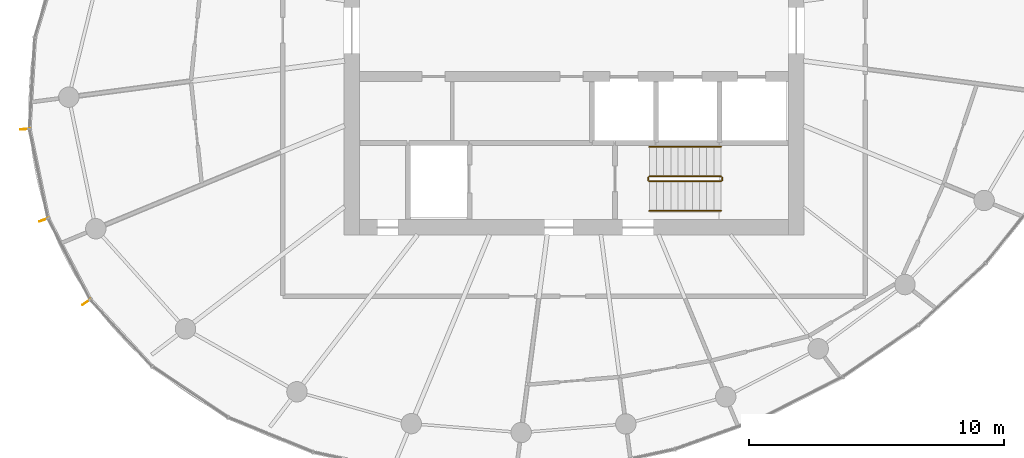
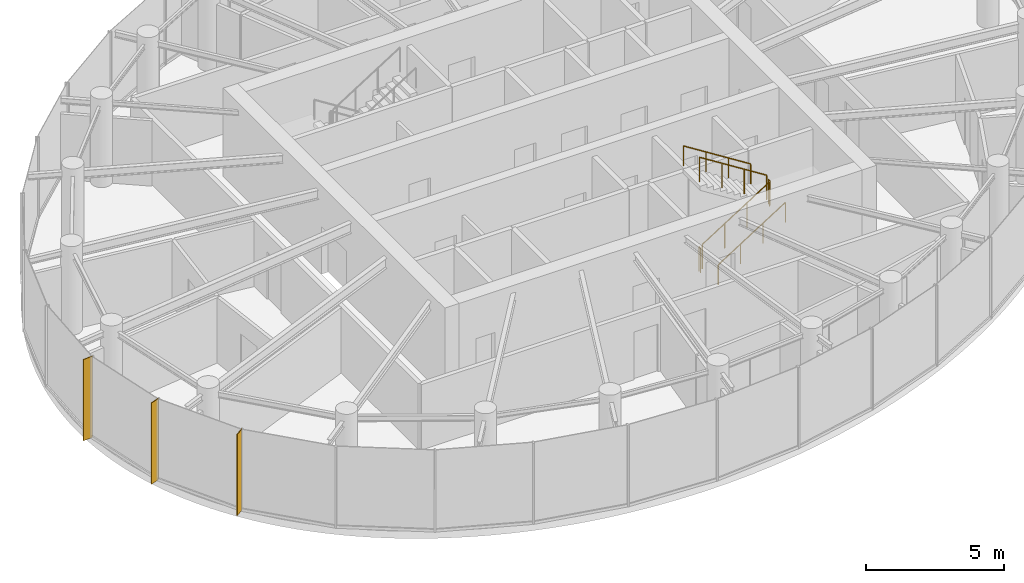
# One storey, part 12 of 13: 6 railings, 3 shading devices.
"""IFC4 building model written with IfcOpenShell, lengths in metres."""

import ifcopenshell
import ifcopenshell.guid

model = None  # the IFC model being written
_history = None  # IfcOwnerHistory: only IFC2X3 demands one
_inside = {}  # id of a spatial element -> (the spatial element, [elements in it])
_under = {}  # id of a project, library or spatial element -> (it, [spatial elements below it])
_declared = {}  # id of a project -> (the project, [libraries it declares])
_typed = {}  # id of a type object -> (the type object, [elements of that type])
_made_of = {}  # id of a material, layer set ... -> (it, [elements and type objects made of it])


def new_model(schema):
    """Start an empty IFC model of exactly this schema.

    Asked for "IFC4X3", IfcOpenShell would pick the latest addendum, in which some entities
    have other attributes; the version numbers below select the first issue.
    IFC2X3 requires an IfcOwnerHistory on every rooted entity: one is made here for all.
    """
    global model, _history
    if schema == "IFC4X3":
        model = ifcopenshell.file(schema_version=(4, 3, 0, 0))
    else:
        model = ifcopenshell.file(schema=schema)
    _inside.clear()
    _under.clear()
    _declared.clear()
    _typed.clear()
    _made_of.clear()
    _history = None
    if model.schema == "IFC2X3":
        org = make("IfcOrganization", Name="unknown")
        user = make(
            "IfcPersonAndOrganization",
            ThePerson=make("IfcPerson", FamilyName="unknown"),
            TheOrganization=org,
        )
        app = make(
            "IfcApplication",
            ApplicationDeveloper=org,
            Version="unknown",
            ApplicationFullName="unknown",
            ApplicationIdentifier="unknown",
        )
        _history = make(
            "IfcOwnerHistory",
            OwningUser=user,
            OwningApplication=app,
            ChangeAction="ADDED",
            CreationDate=0,
        )
    return model


def make(cls, **values):
    """One entity of the class cls with the attributes given. An attribute that is None is left unset."""
    return model.create_entity(
        cls, **{name: value for name, value in values.items() if value is not None}
    )


def rooted(cls, **values):
    """An entity with a GlobalId (a new one), such as an element, a storey or a relation."""
    return make(cls, GlobalId=ifcopenshell.guid.new(), OwnerHistory=_history, **values)


def si_unit(unit_type, name, prefix=None):
    """IfcSIUnit, for example si_unit("LENGTHUNIT", "METRE", prefix="MILLI")."""
    return make("IfcSIUnit", UnitType=unit_type, Prefix=prefix, Name=name)


def assignment(units):
    """IfcUnitAssignment: the units of a project."""
    return None if units is None else make("IfcUnitAssignment", Units=units)


def point(xyz):
    """IfcCartesianPoint."""
    return None if xyz is None else make("IfcCartesianPoint", Coordinates=xyz)


def direction(xyz):
    """IfcDirection."""
    return None if xyz is None else make("IfcDirection", DirectionRatios=xyz)


def frame(location, z_axis=None, x_axis=None):
    """IfcAxis2Placement3D, a coordinate frame: its origin and axes. An axis left out is left unset."""
    return make(
        "IfcAxis2Placement3D",
        Location=point(location),
        Axis=direction(z_axis),
        RefDirection=direction(x_axis),
    )


def frame_2d(location, x_axis=None):
    """IfcAxis2Placement2D, a coordinate frame in the plane: its origin and x axis."""
    return make(
        "IfcAxis2Placement2D", Location=point(location), RefDirection=direction(x_axis)
    )


def origin():
    """The frame at (0, 0, 0) with its axes left unset."""
    return frame((0.0, 0.0, 0.0))


def origin_2d():
    """The frame at (0, 0) in the plane with its x axis left unset."""
    return frame_2d((0.0, 0.0))


def place(relative_to, where):
    """IfcLocalPlacement: puts the frame where relative to a parent placement (None: the world)."""
    return make(
        "IfcLocalPlacement", PlacementRelTo=relative_to, RelativePlacement=where
    )


def context(
    kind, dimensions, precision=None, world=None, true_north=None, identifier=None
):
    """IfcGeometricRepresentationContext, for example the 3D "Model" context."""
    return make(
        "IfcGeometricRepresentationContext",
        ContextIdentifier=identifier,
        ContextType=kind,
        CoordinateSpaceDimension=dimensions,
        Precision=precision,
        WorldCoordinateSystem=world,
        TrueNorth=true_north,
    )


def subcontext(parent, identifier, kind, view, scale=None):
    """IfcGeometricRepresentationSubContext, for example "Body" below "Model"."""
    return make(
        "IfcGeometricRepresentationSubContext",
        ContextIdentifier=identifier,
        ContextType=kind,
        ParentContext=parent,
        TargetScale=scale,
        TargetView=view,
    )


def project(units=None, contexts=None):
    """IfcProject with its units and contexts."""
    return rooted(
        "IfcProject",
        Name="project",
        RepresentationContexts=contexts,
        UnitsInContext=assignment(units),
    )


def spatial(cls, under=None, at=None, **own):
    """A site, building, storey or space (cls), placed at a placement, below another one or the project."""
    s = rooted(cls, ObjectPlacement=at, **own)
    if under is not None:
        _under.setdefault(under.id(), (under, []))[1].append(s)
    return s


def profile(cls, at=None, kind="AREA", **sizes):
    """A parametric profile (cls). Its sizes go by their IFC names, for example OverallWidth=200.0."""
    return make(cls, ProfileType=kind, Position=at, **sizes)


def rectangle(**sizes):
    """IfcRectangleProfileDef."""
    return profile("IfcRectangleProfileDef", **sizes)


def circle(**sizes):
    """IfcCircleProfileDef."""
    return profile("IfcCircleProfileDef", **sizes)


def extrude(swept, where, along, depth):
    """IfcExtrudedAreaSolid: the profile swept, set in the frame where, extruded along a direction by depth."""
    return make(
        "IfcExtrudedAreaSolid",
        SweptArea=swept,
        Position=where,
        ExtrudedDirection=direction(along),
        Depth=depth,
    )


def shape(context_of_items, identifier, shape_type, items):
    """IfcShapeRepresentation: the items that make up one representation, for example the "Body"."""
    return make(
        "IfcShapeRepresentation",
        ContextOfItems=context_of_items,
        RepresentationIdentifier=identifier,
        RepresentationType=shape_type,
        Items=items,
    )


def source(mapping_origin, context_of_items, identifier, shape_type, items):
    """IfcRepresentationMap: a shape defined once, which mapped items show again and again."""
    return make(
        "IfcRepresentationMap",
        MappingOrigin=mapping_origin,
        MappedRepresentation=shape(context_of_items, identifier, shape_type, items),
    )


def transform(
    local_origin,
    x_axis=None,
    y_axis=None,
    z_axis=None,
    scale=None,
    scale2=None,
    scale3=None,
    uniform=True,
):
    """IfcCartesianTransformationOperator3D, or its non-uniform kind. x_axis, y_axis, z_axis: its Axis1, 2, 3."""
    if uniform:
        return make(
            "IfcCartesianTransformationOperator3D",
            Axis1=direction(x_axis),
            Axis2=direction(y_axis),
            LocalOrigin=point(local_origin),
            Scale=scale,
            Axis3=direction(z_axis),
        )
    return make(
        "IfcCartesianTransformationOperator3DnonUniform",
        Axis1=direction(x_axis),
        Axis2=direction(y_axis),
        LocalOrigin=point(local_origin),
        Scale=scale,
        Axis3=direction(z_axis),
        Scale2=scale2,
        Scale3=scale3,
    )


def mapped(mapping_source, mapping_target):
    """IfcMappedItem: shows the shape of a source again, moved by a transform."""
    return make(
        "IfcMappedItem", MappingSource=mapping_source, MappingTarget=mapping_target
    )


def material(Name=None, Category=None):
    """IfcMaterial."""
    return make("IfcMaterial", Name=Name, Category=Category)


def material_profile(
    of_material, cross_section, Name=None, Category=None, Priority=None
):
    """IfcMaterialProfile: a cross section and its material."""
    return make(
        "IfcMaterialProfile",
        Name=Name,
        Material=of_material,
        Profile=cross_section,
        Priority=Priority,
        Category=Category,
    )


def profile_set(profiles, Name=None, composite=None):
    """IfcMaterialProfileSet."""
    return make(
        "IfcMaterialProfileSet",
        Name=Name,
        MaterialProfiles=profiles,
        CompositeProfile=composite,
    )


def made_of(thing, what):
    """Note that an element or type object is made of a material, layer set ...; save() writes the relation."""
    if what is not None:
        _made_of.setdefault(what.id(), (what, []))[1].append(thing)
    return thing


def type_object(cls, material=None, **own):
    """A type object (cls), such as IfcWallType, which elements share."""
    return made_of(rooted(cls, **own), material)


def element(
    cls,
    number,
    at=None,
    inside=None,
    cuts=None,
    type_object=None,
    material=None,
    context=None,
    identifier="Body",
    shape_type=None,
    held_by="IfcProductDefinitionShape",
    body=None,
    shapes=None,
    **own,
):
    """One element of the class cls, such as IfcWall. Its Tag is "e" and its number.

    at: its placement. inside: the storey or other place that contains it. cuts: it is an
    opening in that element (IfcRelVoidsElement). A single representation is given by context,
    identifier, shape_type and body (its items); several are given by shapes. held_by: the class
    of the entity that holds the representations. save() writes the other relations.
    """
    e = rooted(cls, Tag="e%d" % number, ObjectPlacement=at, **own)
    if body is not None:
        shapes = [shape(context, identifier, shape_type, body)]
    if shapes is not None:
        e.Representation = make(held_by, Representations=shapes)
    if inside is not None:
        _inside.setdefault(inside.id(), (inside, []))[1].append(e)
    if cuts is not None:
        rooted(
            "IfcRelVoidsElement", RelatingBuildingElement=cuts, RelatedOpeningElement=e
        )
    if type_object is not None:
        _typed.setdefault(type_object.id(), (type_object, []))[1].append(e)
    return made_of(e, material)


def aggregate(whole, parts):
    """IfcRelAggregates: a whole, such as a stair, and the parts it consists of."""
    return rooted("IfcRelAggregates", RelatingObject=whole, RelatedObjects=parts)


def save(model, path):
    """Write the relations noted so far, then the file.

    IfcRelAggregates (storeys below a building ...), IfcRelContainedInSpatialStructure (elements
    in a storey), IfcRelDefinesByType, IfcRelAssociatesMaterial and IfcRelDeclares: one each for
    every whole, place, type object, material and project.
    """
    for whole, parts in _under.values():
        aggregate(whole, parts)
    for where, things in _inside.values():
        rooted(
            "IfcRelContainedInSpatialStructure",
            RelatedElements=things,
            RelatingStructure=where,
        )
    for kind, things in _typed.values():
        rooted("IfcRelDefinesByType", RelatedObjects=things, RelatingType=kind)
    for what, things in _made_of.values():
        rooted("IfcRelAssociatesMaterial", RelatedObjects=things, RelatingMaterial=what)
    for by, libraries in _declared.values():
        rooted("IfcRelDeclares", RelatingContext=by, RelatedDefinitions=libraries)
    model.write(path)


model = new_model("IFC4")

# Units and contexts
model_context = context("Model", 3, precision=1e-05, world=origin(), true_north=direction((0.0, 1.0)))
body_context = subcontext(model_context, "Body", "Model", "MODEL_VIEW")
ifc_project = project(units=[si_unit("LENGTHUNIT", "METRE"), si_unit("AREAUNIT", "SQUARE_METRE"), si_unit("VOLUMEUNIT", "CUBIC_METRE"), si_unit("PLANEANGLEUNIT", "RADIAN"), si_unit("MASSUNIT", "GRAM", prefix="KILO")], contexts=[model_context])

# Site, building, storey
site_placement = place(None, origin())
site = spatial("IfcSite", under=ifc_project, at=site_placement, CompositionType="ELEMENT")
building_placement = place(site_placement, origin())
building = spatial("IfcBuilding", under=site, at=building_placement, Name="Spindrift Exchange Tower", CompositionType="ELEMENT")
storey_placement = place(building_placement, frame((0.0, 0.0, 246.199951171875)))
storey = spatial("IfcBuildingStorey", under=building, at=storey_placement, Name="L60", CompositionType="ELEMENT", Elevation=246.199951171875)

# Railings
ifc_material_1 = material(Name="Steel balustrade", Category="steel")
railing_type_1 = type_object("IfcRailingType", Name="RL-STAIR-GUARD", PredefinedType="GUARDRAIL", material=ifc_material_1)
railing_1_placement = place(storey_placement, frame((54.949951171875, 42.10009765625, 0.17724609375)))
element("IfcRailing", 1, at=railing_1_placement, inside=storey, type_object=railing_type_1, Name="L60 ST2 stair guard 1", PredefinedType="GUARDRAIL", context=body_context, shape_type="SweptSolid", body=[
    extrude(circle(Radius=0.02392578125, at=origin_2d()), frame((0.0, 0.0, 1.076171875), z_axis=(0.844908973607, 0.0, 0.534910110503), x_axis=(0.0, 1.0, 0.0)), (0.0, 0.0, 1.0), 3.31396484375),
    extrude(circle(Radius=0.02099609375, at=origin_2d()), origin(), (0.0, 0.0, 1.0), 1.052001953125),
    extrude(circle(Radius=0.02099609375, at=origin_2d()), frame((0.933349609375, 0.0, 0.5908203125)), (0.0, 0.0, 1.0), 1.052001953125),
    extrude(circle(Radius=0.02099609375, at=origin_2d()), frame((1.86669921875, 0.0, 1.181884765625)), (0.0, 0.0, 1.0), 1.052001953125),
    extrude(circle(Radius=0.02099609375, at=origin_2d()), frame((2.800048828125, 0.0, 1.772705078125)), (0.0, 0.0, 1.0), 1.052001953125),
])
railing_2_placement = place(storey_placement, frame((57.800048828125, 42.14990234375, 1.949951171875)))
element("IfcRailing", 2, at=railing_2_placement, inside=storey, type_object=railing_type_1, Name="L60 ST2 stair guard 2", PredefinedType="GUARDRAIL", context=body_context, shape_type="SweptSolid", body=[
    extrude(circle(Radius=0.02392578125, at=origin_2d()), frame((0.0, 0.0, 1.076171875), z_axis=(0.0, 1.0, 0.0), x_axis=(-1.0, 0.0, 0.0)), (0.0, 0.0, 1.0), 0.10009765625),
    extrude(circle(Radius=0.02099609375, at=origin_2d()), origin(), (0.0, 0.0, 1.0), 1.052001953125),
    extrude(circle(Radius=0.02099609375, at=origin_2d()), frame((0.0, 0.10009765625, 0.0)), (0.0, 0.0, 1.0), 1.052001953125),
])
railing_3_placement = place(storey_placement, frame((57.75, 42.300048828125, 2.12744140625)))
element("IfcRailing", 3, at=railing_3_placement, inside=storey, type_object=railing_type_1, Name="L60 ST2 stair guard 3", PredefinedType="GUARDRAIL", context=body_context, shape_type="SweptSolid", body=[
    extrude(circle(Radius=0.02392578125, at=origin_2d()), frame((0.0, 0.0, 1.076171875), z_axis=(-0.844908973607, 0.0, 0.534910110503), x_axis=(0.0, -1.0, 0.0)), (0.0, 0.0, 1.0), 3.31396484375),
    extrude(circle(Radius=0.02099609375, at=origin_2d()), origin(), (0.0, 0.0, 1.0), 1.052001953125),
    extrude(circle(Radius=0.02099609375, at=origin_2d()), frame((-0.933349609375, 0.0, 0.5908203125)), (0.0, 0.0, 1.0), 1.052001953125),
    extrude(circle(Radius=0.02099609375, at=origin_2d()), frame((-1.86669921875, 0.0, 1.181884765625)), (0.0, 0.0, 1.0), 1.052001953125),
    extrude(circle(Radius=0.02099609375, at=origin_2d()), frame((-2.800048828125, 0.0, 1.772705078125)), (0.0, 0.0, 1.0), 1.052001953125),
])
railing_4_placement = place(storey_placement, frame((54.89990234375, 42.14990234375, 0.0)))
element("IfcRailing", 4, at=railing_4_placement, inside=storey, type_object=railing_type_1, Name="L60 ST2 stair guard 4", PredefinedType="GUARDRAIL", context=body_context, shape_type="SweptSolid", body=[
    extrude(circle(Radius=0.02392578125, at=origin_2d()), frame((0.0, 0.0, 1.076171875), z_axis=(0.0, 1.0, 0.0), x_axis=(-1.0, 0.0, 0.0)), (0.0, 0.0, 1.0), 0.10009765625),
    extrude(circle(Radius=0.02099609375, at=origin_2d()), origin(), (0.0, 0.0, 1.0), 1.052001953125),
    extrude(circle(Radius=0.02099609375, at=origin_2d()), frame((0.0, 0.10009765625, 0.0)), (0.0, 0.0, 1.0), 1.052001953125),
])
ifc_material_2 = material(Name="Steel tubular handrail", Category="steel")
railing_type_2 = type_object("IfcRailingType", Name="RL-STAIR-HAND", PredefinedType="HANDRAIL", material=ifc_material_2)
railing_5_placement = place(storey_placement, frame((54.949951171875, 40.949951171875, 0.17724609375)))
element("IfcRailing", 5, at=railing_5_placement, inside=storey, type_object=railing_type_2, Name="L60 ST2 stair handrail 1", PredefinedType="HANDRAIL", context=body_context, shape_type="SweptSolid", body=[
    extrude(circle(Radius=0.02392578125, at=origin_2d()), frame((0.0, 0.0, 0.8759765625), z_axis=(0.844908973607, 0.0, 0.534910110503), x_axis=(0.0, 1.0, 0.0)), (0.0, 0.0, 1.0), 3.31396484375),
    extrude(circle(Radius=0.02099609375, at=origin_2d()), origin(), (0.0, 0.0, 1.0), 0.851806640625),
    extrude(circle(Radius=0.02099609375, at=origin_2d()), frame((0.933349609375, 0.0, 0.5908203125)), (0.0, 0.0, 1.0), 0.851806640625),
    extrude(circle(Radius=0.02099609375, at=origin_2d()), frame((1.86669921875, 0.0, 1.181884765625)), (0.0, 0.0, 1.0), 0.851806640625),
    extrude(circle(Radius=0.02099609375, at=origin_2d()), frame((2.800048828125, 0.0, 1.772705078125)), (0.0, 0.0, 1.0), 0.851806640625),
])
railing_6_placement = place(storey_placement, frame((57.75, 43.449951171875, 2.12744140625)))
element("IfcRailing", 6, at=railing_6_placement, inside=storey, type_object=railing_type_2, Name="L60 ST2 stair handrail 2", PredefinedType="HANDRAIL", context=body_context, shape_type="SweptSolid", body=[
    extrude(circle(Radius=0.02392578125, at=origin_2d()), frame((0.0, 0.0, 0.8759765625), z_axis=(-0.844908973607, 0.0, 0.534910110503), x_axis=(0.0, -1.0, 0.0)), (0.0, 0.0, 1.0), 3.31396484375),
    extrude(circle(Radius=0.02099609375, at=origin_2d()), origin(), (0.0, 0.0, 1.0), 0.851806640625),
    extrude(circle(Radius=0.02099609375, at=origin_2d()), frame((-0.933349609375, 0.0, 0.5908203125)), (0.0, 0.0, 1.0), 0.851806640625),
    extrude(circle(Radius=0.02099609375, at=origin_2d()), frame((-1.86669921875, 0.0, 1.181884765625)), (0.0, 0.0, 1.0), 0.851806640625),
    extrude(circle(Radius=0.02099609375, at=origin_2d()), frame((-2.800048828125, 0.0, 1.772705078125)), (0.0, 0.0, 1.0), 0.851806640625),
])

# Shading devices
ifc_material_3 = material(Name="Bronze anodised aluminium", Category="aluminium")
ifc_material_profile = material_profile(ifc_material_3, rectangle(XDim=0.030029296875, YDim=0.39990234375, at=origin_2d()), Name="WIND FIN 30X400")
ifc_profile_set = profile_set([ifc_material_profile], Name="Bronze anodised aluminium")
shading_device_type = type_object("IfcShadingDeviceType", Name="WIND FIN 30X400", PredefinedType="USERDEFINED", material=ifc_profile_set)
shared_shape = source(origin(), body_context, "Body", "SweptSolid", [
    extrude(rectangle(XDim=0.030029296875, YDim=0.39990234375, at=origin_2d()), origin(), (0.0, 0.0, 1.0), 3.580078125),
])
for number, where, z_axis, x_axis, name in (
    (7, (30.51416015625, 44.142333984375, 0.0), (0.0, 0.0, 1.0), (0.073213828116, -0.997316266473, 0.0), "L60 wind fin 1"),
    (8, (31.252197265625, 40.59521484375, 0.0), (0.0, 0.0, 1.0), (0.336132181099, -0.94181482088, 0.0), "L60 wind fin 2"),
    (9, (32.9267578125, 37.382080078125, 0.0), (0.0, 0.0, 1.0), (0.574782471994, -0.818306244562, 0.0), "L60 wind fin 3"),
):
    element("IfcShadingDevice", number, at=place(storey_placement, frame(where, z_axis=z_axis, x_axis=x_axis)), inside=storey, type_object=shading_device_type, Name=name, ObjectType="FIN", PredefinedType="USERDEFINED", context=body_context, shape_type="MappedRepresentation", body=[
        mapped(shared_shape, transform((0.0, 0.0, 0.0), scale=1.0)),
    ])

save(model, "model.ifc")
